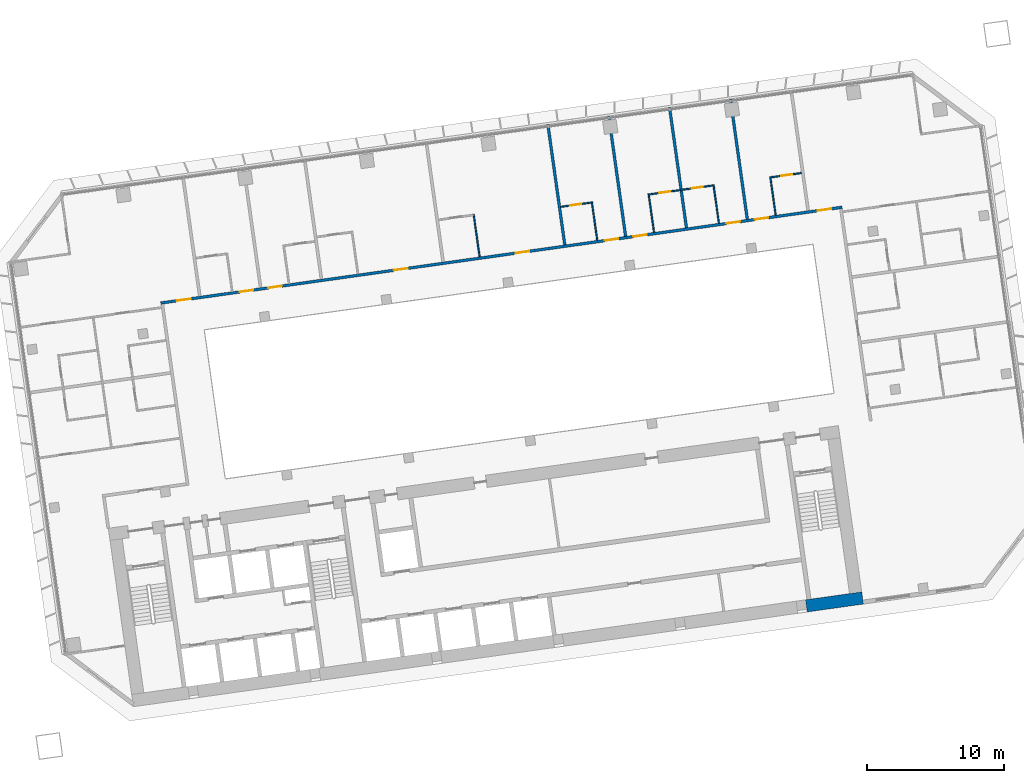
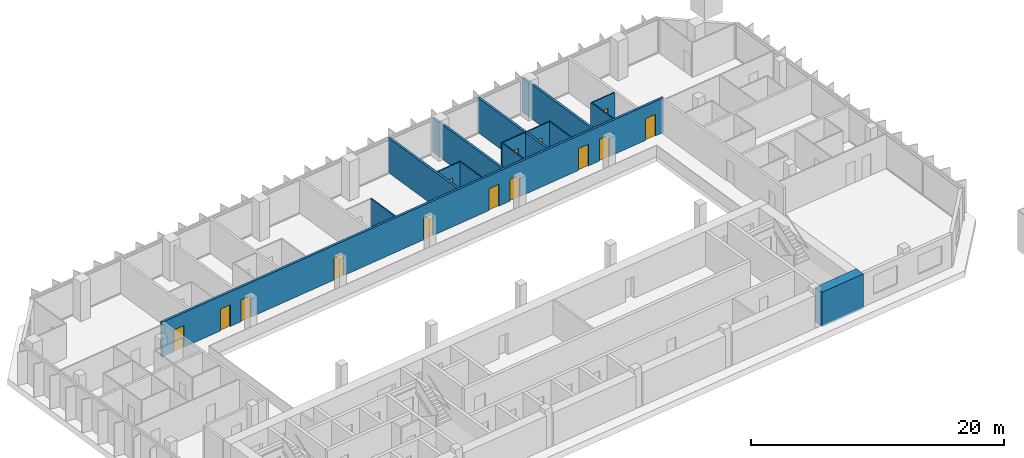
# One storey, part 21 of 25: 14 doors, 14 walls, 14 openings.
"""IFC4 building model written with IfcOpenShell, lengths in metres."""

from ifc_helpers import new_model, si_unit, direction, frame, frame_2d, origin, place, context, subcontext, project, spatial, rectangle, extrude, material, layer, layer_set, type_object, element, fill, save


model = new_model("IFC4")

# Units and contexts
model_context = context("Model", 3, precision=1e-05, world=origin(), true_north=direction((0.0, 1.0)))
body_context = subcontext(model_context, "Body", "Model", "MODEL_VIEW")
ifc_project = project(units=[si_unit("LENGTHUNIT", "METRE"), si_unit("AREAUNIT", "SQUARE_METRE"), si_unit("VOLUMEUNIT", "CUBIC_METRE"), si_unit("PLANEANGLEUNIT", "RADIAN"), si_unit("MASSUNIT", "GRAM", prefix="KILO")], contexts=[model_context])

# Site, building, storey
site_placement = place(None, origin())
site = spatial("IfcSite", under=ifc_project, at=site_placement, CompositionType="ELEMENT")
building_placement = place(site_placement, origin())
building = spatial("IfcBuilding", under=site, at=building_placement, Name="Mirante Cascada Hotel Towers", CompositionType="ELEMENT")
storey_placement = place(building_placement, frame((0.0, 0.0, 73.7)))
storey = spatial("IfcBuildingStorey", under=building, at=storey_placement, Name="L15", CompositionType="ELEMENT", Elevation=73.7)

# Wall, openings, doors
ifc_material_1 = material(Name="Fire-rated plasterboard on metal studs")
ifc_layer_1 = layer(ifc_material_1, 0.2)
ifc_layer_set_1 = layer_set([ifc_layer_1], Name="Compartment wall 200 EI 120")
wall_type_1 = type_object("IfcWallType", Name="Compartment wall 200 EI 120", PredefinedType="PARTITIONING", material=ifc_layer_set_1)
wall_1_placement = place(storey_placement, frame((89.0146, 16.3922, 0.0), z_axis=(0.0, 0.0, 1.0), x_axis=(-0.9902681, -0.1391727, 0.0)))
wall_1 = element("IfcWall", 1, at=wall_1_placement, inside=storey, type_object=wall_type_1, Name="Wall 2-L15-19", PredefinedType="PARTITIONING", context=body_context, shape_type="SweptSolid", body=[
    extrude(rectangle(XDim=50.4, YDim=0.2, at=frame_2d((25.2, 0.0))), origin(), (0.0, 0.0, 1.0), 3.35),
])
opening_1_placement = place(wall_1_placement, frame((48.2, 0.0, 0.0)))
opening_1 = element("IfcOpeningElement", 2, at=opening_1_placement, cuts=wall_1, Name="Opening D2-L15-11", PredefinedType="OPENING", context=body_context, shape_type="SweptSolid", body=[
    extrude(rectangle(XDim=1.0, YDim=2.1, at=frame_2d((0.5, 1.05))), frame((0.0, 0.1, 0.0), z_axis=(0.0, -1.0, 0.0), x_axis=(1.0, 0.0, 0.0)), (0.0, 0.0, 1.0), 0.2),
])
opening_2_placement = place(wall_1_placement, frame((43.55, 0.0, 0.0)))
opening_2 = element("IfcOpeningElement", 3, at=opening_2_placement, cuts=wall_1, Name="Opening D2-L15-12", PredefinedType="OPENING", context=body_context, shape_type="SweptSolid", body=[
    extrude(rectangle(XDim=1.0, YDim=2.1, at=frame_2d((0.5, 1.05))), frame((0.0, 0.1, 0.0), z_axis=(0.0, -1.0, 0.0), x_axis=(1.0, 0.0, 0.0)), (0.0, 0.0, 1.0), 0.2),
])
opening_3_placement = place(wall_1_placement, frame((41.45, 0.0, 0.0)))
opening_3 = element("IfcOpeningElement", 4, at=opening_3_placement, cuts=wall_1, Name="Opening D2-L15-13", PredefinedType="OPENING", context=body_context, shape_type="SweptSolid", body=[
    extrude(rectangle(XDim=1.0, YDim=2.1, at=frame_2d((0.5, 1.05))), frame((0.0, 0.1, 0.0), z_axis=(0.0, -1.0, 0.0), x_axis=(1.0, 0.0, 0.0)), (0.0, 0.0, 1.0), 0.2),
])
opening_4_placement = place(wall_1_placement, frame((32.15, 0.0, 0.0)))
opening_4 = element("IfcOpeningElement", 5, at=opening_4_placement, cuts=wall_1, Name="Opening D2-L15-14", PredefinedType="OPENING", context=body_context, shape_type="SweptSolid", body=[
    extrude(rectangle(XDim=1.0, YDim=2.1, at=frame_2d((0.5, 1.05))), frame((0.0, 0.1, 0.0), z_axis=(0.0, -1.0, 0.0), x_axis=(1.0, 0.0, 0.0)), (0.0, 0.0, 1.0), 0.2),
])
opening_5_placement = place(wall_1_placement, frame((23.15, 0.0, 0.0)))
opening_5 = element("IfcOpeningElement", 6, at=opening_5_placement, cuts=wall_1, Name="Opening D2-L15-15", PredefinedType="OPENING", context=body_context, shape_type="SweptSolid", body=[
    extrude(rectangle(XDim=1.0, YDim=2.1, at=frame_2d((0.5, 1.05))), frame((0.0, 0.1, 0.0), z_axis=(0.0, -1.0, 0.0), x_axis=(1.0, 0.0, 0.0)), (0.0, 0.0, 1.0), 0.2),
])
opening_6_placement = place(wall_1_placement, frame((16.55, 0.0, 0.0)))
opening_6 = element("IfcOpeningElement", 7, at=opening_6_placement, cuts=wall_1, Name="Opening D2-L15-16", PredefinedType="OPENING", context=body_context, shape_type="SweptSolid", body=[
    extrude(rectangle(XDim=1.0, YDim=2.1, at=frame_2d((0.5, 1.05))), frame((0.0, 0.1, 0.0), z_axis=(0.0, -1.0, 0.0), x_axis=(1.0, 0.0, 0.0)), (0.0, 0.0, 1.0), 0.2),
])
opening_7_placement = place(wall_1_placement, frame((14.45, 0.0, 0.0)))
opening_7 = element("IfcOpeningElement", 8, at=opening_7_placement, cuts=wall_1, Name="Opening D2-L15-17", PredefinedType="OPENING", context=body_context, shape_type="SweptSolid", body=[
    extrude(rectangle(XDim=1.0, YDim=2.1, at=frame_2d((0.5, 1.05))), frame((0.0, 0.1, 0.0), z_axis=(0.0, -1.0, 0.0), x_axis=(1.0, 0.0, 0.0)), (0.0, 0.0, 1.0), 0.2),
])
opening_8_placement = place(wall_1_placement, frame((7.55, 0.0, 0.0)))
opening_8 = element("IfcOpeningElement", 9, at=opening_8_placement, cuts=wall_1, Name="Opening D2-L15-18", PredefinedType="OPENING", context=body_context, shape_type="SweptSolid", body=[
    extrude(rectangle(XDim=1.0, YDim=2.1, at=frame_2d((0.5, 1.05))), frame((0.0, 0.1, 0.0), z_axis=(0.0, -1.0, 0.0), x_axis=(1.0, 0.0, 0.0)), (0.0, 0.0, 1.0), 0.2),
])
opening_9_placement = place(wall_1_placement, frame((5.45, 0.0, 0.0)))
opening_9 = element("IfcOpeningElement", 10, at=opening_9_placement, cuts=wall_1, Name="Opening D2-L15-19", PredefinedType="OPENING", context=body_context, shape_type="SweptSolid", body=[
    extrude(rectangle(XDim=1.0, YDim=2.1, at=frame_2d((0.5, 1.05))), frame((0.0, 0.1, 0.0), z_axis=(0.0, -1.0, 0.0), x_axis=(1.0, 0.0, 0.0)), (0.0, 0.0, 1.0), 0.2),
])
opening_10_placement = place(wall_1_placement, frame((0.8, 0.0, 0.0)))
opening_10 = element("IfcOpeningElement", 11, at=opening_10_placement, cuts=wall_1, Name="Opening D2-L15-20", PredefinedType="OPENING", context=body_context, shape_type="SweptSolid", body=[
    extrude(rectangle(XDim=1.0, YDim=2.1, at=frame_2d((0.5, 1.05))), frame((0.0, 0.1, 0.0), z_axis=(0.0, -1.0, 0.0), x_axis=(1.0, 0.0, 0.0)), (0.0, 0.0, 1.0), 0.2),
])
ifc_material_2 = material(Name="Fire-rated timber door leaf", Category="wood")
door_type_1 = type_object("IfcDoorType", Name="Entrance door DG1 1000x2100 EI 60", OperationType="SINGLE_SWING_LEFT", PredefinedType="DOOR", material=ifc_material_2)
door_1_placement = place(opening_1_placement, frame((1.0, 0.0, 0.0), z_axis=(0.0, 0.0, 1.0), x_axis=(-1.0, 0.0, 0.0)))
door_1 = element("IfcDoor", 12, at=door_1_placement, inside=storey, type_object=door_type_1, Name="Door D2-L15-11", OperationType="SINGLE_SWING_RIGHT", OverallHeight=2.1, OverallWidth=1.0, PredefinedType="DOOR", context=body_context, shape_type="SweptSolid", body=[
    extrude(rectangle(XDim=1.0, YDim=2.1, at=frame_2d((0.5, 1.05))), frame((0.0, 0.025, 0.0), z_axis=(0.0, -1.0, 0.0), x_axis=(1.0, 0.0, 0.0)), (0.0, 0.0, 1.0), 0.05),
])
fill(opening_1, door_1)
door_2_placement = place(opening_2_placement, frame((1.0, 0.0, 0.0), z_axis=(0.0, 0.0, 1.0), x_axis=(-1.0, 0.0, 0.0)))
door_2 = element("IfcDoor", 13, at=door_2_placement, inside=storey, type_object=door_type_1, Name="Door D2-L15-12", OperationType="SINGLE_SWING_RIGHT", OverallHeight=2.1, OverallWidth=1.0, PredefinedType="DOOR", context=body_context, shape_type="SweptSolid", body=[
    extrude(rectangle(XDim=1.0, YDim=2.1, at=frame_2d((0.5, 1.05))), frame((0.0, 0.025, 0.0), z_axis=(0.0, -1.0, 0.0), x_axis=(1.0, 0.0, 0.0)), (0.0, 0.0, 1.0), 0.05),
])
fill(opening_2, door_2)
door_3_placement = place(opening_3_placement, frame((1.0, 0.0, 0.0), z_axis=(0.0, 0.0, 1.0), x_axis=(-1.0, 0.0, 0.0)))
door_3 = element("IfcDoor", 14, at=door_3_placement, inside=storey, type_object=door_type_1, Name="Door D2-L15-13", OperationType="SINGLE_SWING_RIGHT", OverallHeight=2.1, OverallWidth=1.0, PredefinedType="DOOR", context=body_context, shape_type="SweptSolid", body=[
    extrude(rectangle(XDim=1.0, YDim=2.1, at=frame_2d((0.5, 1.05))), frame((0.0, 0.025, 0.0), z_axis=(0.0, -1.0, 0.0), x_axis=(1.0, 0.0, 0.0)), (0.0, 0.0, 1.0), 0.05),
])
fill(opening_3, door_3)
door_4_placement = place(opening_4_placement, frame((1.0, 0.0, 0.0), z_axis=(0.0, 0.0, 1.0), x_axis=(-1.0, 0.0, 0.0)))
door_4 = element("IfcDoor", 15, at=door_4_placement, inside=storey, type_object=door_type_1, Name="Door D2-L15-14", OperationType="SINGLE_SWING_RIGHT", OverallHeight=2.1, OverallWidth=1.0, PredefinedType="DOOR", context=body_context, shape_type="SweptSolid", body=[
    extrude(rectangle(XDim=1.0, YDim=2.1, at=frame_2d((0.5, 1.05))), frame((0.0, 0.025, 0.0), z_axis=(0.0, -1.0, 0.0), x_axis=(1.0, 0.0, 0.0)), (0.0, 0.0, 1.0), 0.05),
])
fill(opening_4, door_4)
door_5_placement = place(opening_5_placement, frame((1.0, 0.0, 0.0), z_axis=(0.0, 0.0, 1.0), x_axis=(-1.0, 0.0, 0.0)))
door_5 = element("IfcDoor", 16, at=door_5_placement, inside=storey, type_object=door_type_1, Name="Door D2-L15-15", OperationType="SINGLE_SWING_RIGHT", OverallHeight=2.1, OverallWidth=1.0, PredefinedType="DOOR", context=body_context, shape_type="SweptSolid", body=[
    extrude(rectangle(XDim=1.0, YDim=2.1, at=frame_2d((0.5, 1.05))), frame((0.0, 0.025, 0.0), z_axis=(0.0, -1.0, 0.0), x_axis=(1.0, 0.0, 0.0)), (0.0, 0.0, 1.0), 0.05),
])
fill(opening_5, door_5)
door_6_placement = place(opening_6_placement, frame((1.0, 0.0, 0.0), z_axis=(0.0, 0.0, 1.0), x_axis=(-1.0, 0.0, 0.0)))
door_6 = element("IfcDoor", 17, at=door_6_placement, inside=storey, type_object=door_type_1, Name="Door D2-L15-16", OperationType="SINGLE_SWING_RIGHT", OverallHeight=2.1, OverallWidth=1.0, PredefinedType="DOOR", context=body_context, shape_type="SweptSolid", body=[
    extrude(rectangle(XDim=1.0, YDim=2.1, at=frame_2d((0.5, 1.05))), frame((0.0, 0.025, 0.0), z_axis=(0.0, -1.0, 0.0), x_axis=(1.0, 0.0, 0.0)), (0.0, 0.0, 1.0), 0.05),
])
fill(opening_6, door_6)
door_7_placement = place(opening_7_placement, frame((1.0, 0.0, 0.0), z_axis=(0.0, 0.0, 1.0), x_axis=(-1.0, 0.0, 0.0)))
door_7 = element("IfcDoor", 18, at=door_7_placement, inside=storey, type_object=door_type_1, Name="Door D2-L15-17", OperationType="SINGLE_SWING_RIGHT", OverallHeight=2.1, OverallWidth=1.0, PredefinedType="DOOR", context=body_context, shape_type="SweptSolid", body=[
    extrude(rectangle(XDim=1.0, YDim=2.1, at=frame_2d((0.5, 1.05))), frame((0.0, 0.025, 0.0), z_axis=(0.0, -1.0, 0.0), x_axis=(1.0, 0.0, 0.0)), (0.0, 0.0, 1.0), 0.05),
])
fill(opening_7, door_7)
door_8_placement = place(opening_8_placement, frame((1.0, 0.0, 0.0), z_axis=(0.0, 0.0, 1.0), x_axis=(-1.0, 0.0, 0.0)))
door_8 = element("IfcDoor", 19, at=door_8_placement, inside=storey, type_object=door_type_1, Name="Door D2-L15-18", OperationType="SINGLE_SWING_RIGHT", OverallHeight=2.1, OverallWidth=1.0, PredefinedType="DOOR", context=body_context, shape_type="SweptSolid", body=[
    extrude(rectangle(XDim=1.0, YDim=2.1, at=frame_2d((0.5, 1.05))), frame((0.0, 0.025, 0.0), z_axis=(0.0, -1.0, 0.0), x_axis=(1.0, 0.0, 0.0)), (0.0, 0.0, 1.0), 0.05),
])
fill(opening_8, door_8)
door_9_placement = place(opening_9_placement, frame((1.0, 0.0, 0.0), z_axis=(0.0, 0.0, 1.0), x_axis=(-1.0, 0.0, 0.0)))
door_9 = element("IfcDoor", 20, at=door_9_placement, inside=storey, type_object=door_type_1, Name="Door D2-L15-19", OperationType="SINGLE_SWING_RIGHT", OverallHeight=2.1, OverallWidth=1.0, PredefinedType="DOOR", context=body_context, shape_type="SweptSolid", body=[
    extrude(rectangle(XDim=1.0, YDim=2.1, at=frame_2d((0.5, 1.05))), frame((0.0, 0.025, 0.0), z_axis=(0.0, -1.0, 0.0), x_axis=(1.0, 0.0, 0.0)), (0.0, 0.0, 1.0), 0.05),
])
fill(opening_9, door_9)
door_10_placement = place(opening_10_placement, frame((1.0, 0.0, 0.0), z_axis=(0.0, 0.0, 1.0), x_axis=(-1.0, 0.0, 0.0)))
door_10 = element("IfcDoor", 21, at=door_10_placement, inside=storey, type_object=door_type_1, Name="Door D2-L15-20", OperationType="SINGLE_SWING_RIGHT", OverallHeight=2.1, OverallWidth=1.0, PredefinedType="DOOR", context=body_context, shape_type="SweptSolid", body=[
    extrude(rectangle(XDim=1.0, YDim=2.1, at=frame_2d((0.5, 1.05))), frame((0.0, 0.025, 0.0), z_axis=(0.0, -1.0, 0.0), x_axis=(1.0, 0.0, 0.0)), (0.0, 0.0, 1.0), 0.05),
])
fill(opening_10, door_10)

# Walls
for number, where, z_axis, x_axis, name in (
    (22, (67.4616, 22.4516, 0.0), (0.0, 0.0, 1.0), (0.1391684, -0.9902687, 0.0), "Wall 2-L15-43"),
    (23, (71.9178, 23.0779, 0.0), (0.0, 0.0, 1.0), (0.1391684, -0.9902687, 0.0), "Wall 2-L15-45"),
    (24, (76.374, 23.7042, 0.0), (0.0, 0.0, 1.0), (0.1391684, -0.9902687, 0.0), "Wall 2-L15-47"),
):
    element("IfcWall", number, at=place(storey_placement, frame(where, z_axis=z_axis, x_axis=x_axis)), inside=storey, type_object=wall_type_1, Name=name, PredefinedType="PARTITIONING", context=body_context, shape_type="SweptSolid", body=[
        extrude(rectangle(XDim=8.9, YDim=0.2, at=frame_2d((4.45, 0.0))), origin(), (0.0, 0.0, 1.0), 3.35),
    ])
wall_2_placement = place(storey_placement, frame((80.8302, 24.3304, 0.0), z_axis=(0.0, 0.0, 1.0), x_axis=(0.13917, -0.9902685, 0.0)))
element("IfcWall", 25, at=wall_2_placement, inside=storey, type_object=wall_type_1, Name="Wall 2-L15-49", PredefinedType="PARTITIONING", context=body_context, shape_type="SweptSolid", body=[
    extrude(rectangle(XDim=8.8999, YDim=0.2, at=frame_2d((4.45, 0.0))), origin(), (0.0, 0.0, 1.0), 3.35),
])

# Wall, opening, door
ifc_material_3 = material(Name="Plasterboard on metal studs")
ifc_layer_2 = layer(ifc_material_3, 0.1)
ifc_layer_set_2 = layer_set([ifc_layer_2], Name="Partition 100")
wall_type_2 = type_object("IfcWallType", Name="Partition 100", PredefinedType="PARTITIONING", material=ifc_layer_set_2)
wall_3_placement = place(storey_placement, frame((68.4096, 16.4249, 0.0), z_axis=(0.0, 0.0, 1.0), x_axis=(0.9902705, 0.1391561, 0.0)))
wall_3 = element("IfcWall", 26, at=wall_3_placement, inside=storey, type_object=wall_type_2, Name="Wall 2-L15-22", PredefinedType="PARTITIONING", context=body_context, shape_type="SweptSolid", body=[
    extrude(rectangle(XDim=2.25, YDim=0.1, at=frame_2d((1.125, 0.0))), origin(), (0.0, 0.0, 1.0), 3.35),
])
opening_11_placement = place(wall_3_placement, frame((0.7, 0.0, 0.0)))
opening_11 = element("IfcOpeningElement", 27, at=opening_11_placement, cuts=wall_3, Name="Opening D2-L15-23", PredefinedType="OPENING", context=body_context, shape_type="SweptSolid", body=[
    extrude(rectangle(XDim=0.8, YDim=2.1, at=frame_2d((0.4, 1.05))), frame((0.0, 0.05, 0.0), z_axis=(0.0, -1.0, 0.0), x_axis=(1.0, 0.0, 0.0)), (0.0, 0.0, 1.0), 0.1),
])
ifc_material_4 = material(Name="Timber door leaf", Category="wood")
door_type_2 = type_object("IfcDoorType", Name="Bathroom door DG4 800x2100", OperationType="SINGLE_SWING_LEFT", PredefinedType="DOOR", material=ifc_material_4)
door_11_placement = place(opening_11_placement, origin())
door_11 = element("IfcDoor", 28, at=door_11_placement, inside=storey, type_object=door_type_2, Name="Door D2-L15-23", OperationType="SINGLE_SWING_LEFT", OverallHeight=2.1, OverallWidth=0.8, PredefinedType="DOOR", context=body_context, shape_type="SweptSolid", body=[
    extrude(rectangle(XDim=0.8, YDim=2.1, at=frame_2d((0.4, 1.05))), frame((0.0, 0.025, 0.0), z_axis=(0.0, -1.0, 0.0), x_axis=(1.0, 0.0, 0.0)), (0.0, 0.0, 1.0), 0.05),
])
fill(opening_11, door_11)

# Wall, openings, doors
wall_4_placement = place(storey_placement, frame((79.6491, 18.0045, 0.0), z_axis=(0.0, 0.0, 1.0), x_axis=(-0.9902694, -0.1391638, 0.0)))
wall_4 = element("IfcWall", 29, at=wall_4_placement, inside=storey, type_object=wall_type_2, Name="Wall 2-L15-23", PredefinedType="PARTITIONING", context=body_context, shape_type="SweptSolid", body=[
    extrude(rectangle(XDim=4.9, YDim=0.1, at=frame_2d((2.45, 0.0))), origin(), (0.0, 0.0, 1.0), 3.35),
])
opening_12_placement = place(wall_4_placement, frame((3.25, 0.0, 0.0)))
opening_12 = element("IfcOpeningElement", 30, at=opening_12_placement, cuts=wall_4, Name="Opening D2-L15-24", PredefinedType="OPENING", context=body_context, shape_type="SweptSolid", body=[
    extrude(rectangle(XDim=0.8, YDim=2.1, at=frame_2d((0.4, 1.05))), frame((0.0, 0.05, 0.0), z_axis=(0.0, -1.0, 0.0), x_axis=(1.0, 0.0, 0.0)), (0.0, 0.0, 1.0), 0.1),
])
opening_13_placement = place(wall_4_placement, frame((0.85, 0.0, 0.0)))
opening_13 = element("IfcOpeningElement", 31, at=opening_13_placement, cuts=wall_4, Name="Opening D2-L15-25", PredefinedType="OPENING", context=body_context, shape_type="SweptSolid", body=[
    extrude(rectangle(XDim=0.8, YDim=2.1, at=frame_2d((0.4, 1.05))), frame((0.0, 0.05, 0.0), z_axis=(0.0, -1.0, 0.0), x_axis=(1.0, 0.0, 0.0)), (0.0, 0.0, 1.0), 0.1),
])
door_12_placement = place(opening_12_placement, frame((0.8, 0.0, 0.0), z_axis=(0.0, 0.0, 1.0), x_axis=(-1.0, 0.0, 0.0)))
door_12 = element("IfcDoor", 32, at=door_12_placement, inside=storey, type_object=door_type_2, Name="Door D2-L15-24", OperationType="SINGLE_SWING_RIGHT", OverallHeight=2.1, OverallWidth=0.8, PredefinedType="DOOR", context=body_context, shape_type="SweptSolid", body=[
    extrude(rectangle(XDim=0.8, YDim=2.1, at=frame_2d((0.4, 1.05))), frame((0.0, 0.025, 0.0), z_axis=(0.0, -1.0, 0.0), x_axis=(1.0, 0.0, 0.0)), (0.0, 0.0, 1.0), 0.05),
])
fill(opening_12, door_12)
door_13_placement = place(opening_13_placement, frame((0.8, 0.0, 0.0), z_axis=(0.0, 0.0, 1.0), x_axis=(-1.0, 0.0, 0.0)))
door_13 = element("IfcDoor", 33, at=door_13_placement, inside=storey, type_object=door_type_2, Name="Door D2-L15-25", OperationType="SINGLE_SWING_RIGHT", OverallHeight=2.1, OverallWidth=0.8, PredefinedType="DOOR", context=body_context, shape_type="SweptSolid", body=[
    extrude(rectangle(XDim=0.8, YDim=2.1, at=frame_2d((0.4, 1.05))), frame((0.0, 0.025, 0.0), z_axis=(0.0, -1.0, 0.0), x_axis=(1.0, 0.0, 0.0)), (0.0, 0.0, 1.0), 0.05),
])
fill(opening_13, door_13)

# Wall, opening, door
wall_5_placement = place(storey_placement, frame((83.8082, 18.589, 0.0), z_axis=(0.0, 0.0, 1.0), x_axis=(0.9902643, 0.1391997, 0.0)))
wall_5 = element("IfcWall", 34, at=wall_5_placement, inside=storey, type_object=wall_type_2, Name="Wall 2-L15-24", PredefinedType="PARTITIONING", context=body_context, shape_type="SweptSolid", body=[
    extrude(rectangle(XDim=2.25, YDim=0.1, at=frame_2d((1.125, 0.0))), origin(), (0.0, 0.0, 1.0), 3.35),
])
opening_14_placement = place(wall_5_placement, frame((0.75, 0.0, 0.0)))
opening_14 = element("IfcOpeningElement", 35, at=opening_14_placement, cuts=wall_5, Name="Opening D2-L15-26", PredefinedType="OPENING", context=body_context, shape_type="SweptSolid", body=[
    extrude(rectangle(XDim=0.8, YDim=2.1, at=frame_2d((0.4, 1.05))), frame((0.0, 0.05, 0.0), z_axis=(0.0, -1.0, 0.0), x_axis=(1.0, 0.0, 0.0)), (0.0, 0.0, 1.0), 0.1),
])
door_14_placement = place(opening_14_placement, origin())
door_14 = element("IfcDoor", 36, at=door_14_placement, inside=storey, type_object=door_type_2, Name="Door D2-L15-26", OperationType="SINGLE_SWING_LEFT", OverallHeight=2.1, OverallWidth=0.8, PredefinedType="DOOR", context=body_context, shape_type="SweptSolid", body=[
    extrude(rectangle(XDim=0.8, YDim=2.1, at=frame_2d((0.4, 1.05))), frame((0.0, 0.025, 0.0), z_axis=(0.0, -1.0, 0.0), x_axis=(1.0, 0.0, 0.0)), (0.0, 0.0, 1.0), 0.05),
])
fill(opening_14, door_14)

# Walls
wall_6_placement = place(storey_placement, frame((62.4615, 12.7614, 0.0), z_axis=(0.0, 0.0, 1.0), x_axis=(-0.1391721, 0.9902682, 0.0)))
element("IfcWall", 37, at=wall_6_placement, inside=storey, type_object=wall_type_2, Name="Wall 2-L15-42", PredefinedType="PARTITIONING", context=body_context, shape_type="SweptSolid", body=[
    extrude(rectangle(XDim=3.1501, YDim=0.1, at=frame_2d((1.575, 0.0))), origin(), (0.0, 0.0, 1.0), 3.35),
])
wall_7_placement = place(storey_placement, frame((71.0769, 13.9722, 0.0), z_axis=(0.0, 0.0, 1.0), x_axis=(-0.1391909, 0.9902656, 0.0)))
element("IfcWall", 38, at=wall_7_placement, inside=storey, type_object=wall_type_2, Name="Wall 2-L15-44", PredefinedType="PARTITIONING", context=body_context, shape_type="SweptSolid", body=[
    extrude(rectangle(XDim=2.85, YDim=0.1, at=frame_2d((1.425, 0.0))), origin(), (0.0, 0.0, 1.0), 3.35),
])
for number, where, z_axis, x_axis, name in (
    (39, (75.236, 14.5568, 0.0), (0.0, 0.0, 1.0), (-0.1391657, 0.9902691, 0.0), "Wall 2-L15-46"),
    (40, (79.9893, 15.2248, 0.0), (0.0, 0.0, 1.0), (-0.1392013, 0.9902641, 0.0), "Wall 2-L15-48"),
):
    element("IfcWall", number, at=place(storey_placement, frame(where, z_axis=z_axis, x_axis=x_axis)), inside=storey, type_object=wall_type_2, Name=name, PredefinedType="PARTITIONING", context=body_context, shape_type="SweptSolid", body=[
        extrude(rectangle(XDim=2.75, YDim=0.1, at=frame_2d((1.375, 0.0))), origin(), (0.0, 0.0, 1.0), 3.35),
    ])
wall_8_placement = place(storey_placement, frame((84.1484, 15.8093, 0.0), z_axis=(0.0, 0.0, 1.0), x_axis=(-0.1391909, 0.9902656, 0.0)))
element("IfcWall", 41, at=wall_8_placement, inside=storey, type_object=wall_type_2, Name="Wall 2-L15-50", PredefinedType="PARTITIONING", context=body_context, shape_type="SweptSolid", body=[
    extrude(rectangle(XDim=2.85, YDim=0.1, at=frame_2d((1.425, 0.0))), origin(), (0.0, 0.0, 1.0), 3.35),
])
ifc_material_5 = material(Name="Concrete C50/60", Category="concrete")
ifc_layer_3 = layer(ifc_material_5, 0.9)
ifc_layer_set_3 = layer_set([ifc_layer_3], Name="RC core wall 900 C50/60")
wall_type_3 = type_object("IfcWallType", Name="RC core wall 900 C50/60", PredefinedType="SHEAR", material=ifc_layer_set_3)
wall_9_placement = place(storey_placement, frame((86.4027, -12.8054, 0.0), z_axis=(0.0, 0.0, 1.0), x_axis=(0.990267, 0.139181, 0.0)))
element("IfcWall", 42, at=wall_9_placement, inside=storey, type_object=wall_type_3, Name="Core wall T2:L15:1.7", PredefinedType="SHEAR", context=body_context, shape_type="SweptSolid", body=[
    extrude(rectangle(XDim=4.15, YDim=0.9, at=frame_2d((2.075, 0.0))), origin(), (0.0, 0.0, 1.0), 3.35),
])

save(model, "model.ifc")
